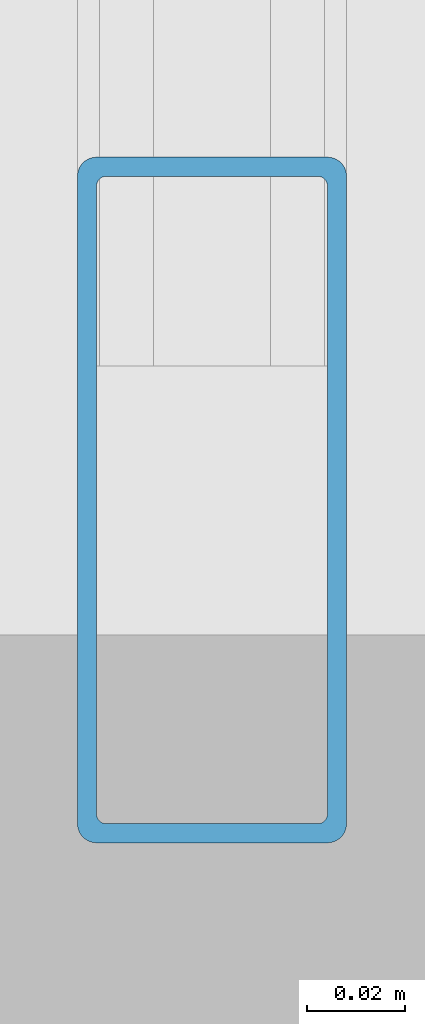
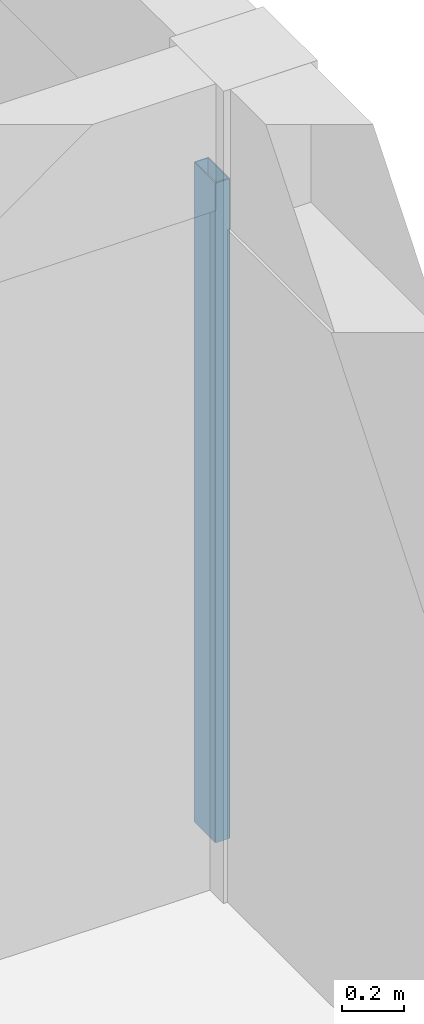
# One storey, part 8 of 53: 1 member, 1 element without a shape of its own.
"""IFC4 building model written with IfcOpenShell, lengths in metres."""

import ifcopenshell
import ifcopenshell.guid

model = None  # the IFC model being written
_history = None  # IfcOwnerHistory: only IFC2X3 demands one
_inside = {}  # id of a spatial element -> (the spatial element, [elements in it])
_under = {}  # id of a project, library or spatial element -> (it, [spatial elements below it])
_declared = {}  # id of a project -> (the project, [libraries it declares])
_typed = {}  # id of a type object -> (the type object, [elements of that type])
_made_of = {}  # id of a material, layer set ... -> (it, [elements and type objects made of it])


def new_model(schema):
    """Start an empty IFC model of exactly this schema.

    Asked for "IFC4X3", IfcOpenShell would pick the latest addendum, in which some entities
    have other attributes; the version numbers below select the first issue.
    IFC2X3 requires an IfcOwnerHistory on every rooted entity: one is made here for all.
    """
    global model, _history
    if schema == "IFC4X3":
        model = ifcopenshell.file(schema_version=(4, 3, 0, 0))
    else:
        model = ifcopenshell.file(schema=schema)
    _inside.clear()
    _under.clear()
    _declared.clear()
    _typed.clear()
    _made_of.clear()
    _history = None
    if model.schema == "IFC2X3":
        org = make("IfcOrganization", Name="unknown")
        user = make(
            "IfcPersonAndOrganization",
            ThePerson=make("IfcPerson", FamilyName="unknown"),
            TheOrganization=org,
        )
        app = make(
            "IfcApplication",
            ApplicationDeveloper=org,
            Version="unknown",
            ApplicationFullName="unknown",
            ApplicationIdentifier="unknown",
        )
        _history = make(
            "IfcOwnerHistory",
            OwningUser=user,
            OwningApplication=app,
            ChangeAction="ADDED",
            CreationDate=0,
        )
    return model


def make(cls, **values):
    """One entity of the class cls with the attributes given. An attribute that is None is left unset."""
    return model.create_entity(
        cls, **{name: value for name, value in values.items() if value is not None}
    )


def rooted(cls, **values):
    """An entity with a GlobalId (a new one), such as an element, a storey or a relation."""
    return make(cls, GlobalId=ifcopenshell.guid.new(), OwnerHistory=_history, **values)


def si_unit(unit_type, name, prefix=None):
    """IfcSIUnit, for example si_unit("LENGTHUNIT", "METRE", prefix="MILLI")."""
    return make("IfcSIUnit", UnitType=unit_type, Prefix=prefix, Name=name)


def assignment(units):
    """IfcUnitAssignment: the units of a project."""
    return None if units is None else make("IfcUnitAssignment", Units=units)


def point(xyz):
    """IfcCartesianPoint."""
    return None if xyz is None else make("IfcCartesianPoint", Coordinates=xyz)


def direction(xyz):
    """IfcDirection."""
    return None if xyz is None else make("IfcDirection", DirectionRatios=xyz)


def frame(location, z_axis=None, x_axis=None):
    """IfcAxis2Placement3D, a coordinate frame: its origin and axes. An axis left out is left unset."""
    return make(
        "IfcAxis2Placement3D",
        Location=point(location),
        Axis=direction(z_axis),
        RefDirection=direction(x_axis),
    )


def frame_2d(location, x_axis=None):
    """IfcAxis2Placement2D, a coordinate frame in the plane: its origin and x axis."""
    return make(
        "IfcAxis2Placement2D", Location=point(location), RefDirection=direction(x_axis)
    )


def origin():
    """The frame at (0, 0, 0) with its axes left unset."""
    return frame((0.0, 0.0, 0.0))


def origin_2d():
    """The frame at (0, 0) in the plane with its x axis left unset."""
    return frame_2d((0.0, 0.0))


def place(relative_to, where):
    """IfcLocalPlacement: puts the frame where relative to a parent placement (None: the world)."""
    return make(
        "IfcLocalPlacement", PlacementRelTo=relative_to, RelativePlacement=where
    )


def context(
    kind, dimensions, precision=None, world=None, true_north=None, identifier=None
):
    """IfcGeometricRepresentationContext, for example the 3D "Model" context."""
    return make(
        "IfcGeometricRepresentationContext",
        ContextIdentifier=identifier,
        ContextType=kind,
        CoordinateSpaceDimension=dimensions,
        Precision=precision,
        WorldCoordinateSystem=world,
        TrueNorth=true_north,
    )


def subcontext(parent, identifier, kind, view, scale=None):
    """IfcGeometricRepresentationSubContext, for example "Body" below "Model"."""
    return make(
        "IfcGeometricRepresentationSubContext",
        ContextIdentifier=identifier,
        ContextType=kind,
        ParentContext=parent,
        TargetScale=scale,
        TargetView=view,
    )


def project(units=None, contexts=None):
    """IfcProject with its units and contexts."""
    return rooted(
        "IfcProject",
        Name="project",
        RepresentationContexts=contexts,
        UnitsInContext=assignment(units),
    )


def spatial(cls, under=None, at=None, **own):
    """A site, building, storey or space (cls), placed at a placement, below another one or the project."""
    s = rooted(cls, ObjectPlacement=at, **own)
    if under is not None:
        _under.setdefault(under.id(), (under, []))[1].append(s)
    return s


def profile(cls, at=None, kind="AREA", **sizes):
    """A parametric profile (cls). Its sizes go by their IFC names, for example OverallWidth=200.0."""
    return make(cls, ProfileType=kind, Position=at, **sizes)


def hollow_rectangle(**sizes):
    """IfcRectangleHollowProfileDef."""
    return profile("IfcRectangleHollowProfileDef", **sizes)


def extrude(swept, where, along, depth):
    """IfcExtrudedAreaSolid: the profile swept, set in the frame where, extruded along a direction by depth."""
    return make(
        "IfcExtrudedAreaSolid",
        SweptArea=swept,
        Position=where,
        ExtrudedDirection=direction(along),
        Depth=depth,
    )


def shape(context_of_items, identifier, shape_type, items):
    """IfcShapeRepresentation: the items that make up one representation, for example the "Body"."""
    return make(
        "IfcShapeRepresentation",
        ContextOfItems=context_of_items,
        RepresentationIdentifier=identifier,
        RepresentationType=shape_type,
        Items=items,
    )


def material(Name=None, Category=None):
    """IfcMaterial."""
    return make("IfcMaterial", Name=Name, Category=Category)


def material_profile(
    of_material, cross_section, Name=None, Category=None, Priority=None
):
    """IfcMaterialProfile: a cross section and its material."""
    return make(
        "IfcMaterialProfile",
        Name=Name,
        Material=of_material,
        Profile=cross_section,
        Priority=Priority,
        Category=Category,
    )


def profile_set(profiles, Name=None, composite=None):
    """IfcMaterialProfileSet."""
    return make(
        "IfcMaterialProfileSet",
        Name=Name,
        MaterialProfiles=profiles,
        CompositeProfile=composite,
    )


def made_of(thing, what):
    """Note that an element or type object is made of a material, layer set ...; save() writes the relation."""
    if what is not None:
        _made_of.setdefault(what.id(), (what, []))[1].append(thing)
    return thing


def type_object(cls, material=None, **own):
    """A type object (cls), such as IfcWallType, which elements share."""
    return made_of(rooted(cls, **own), material)


def element(
    cls,
    number,
    at=None,
    inside=None,
    cuts=None,
    type_object=None,
    material=None,
    context=None,
    identifier="Body",
    shape_type=None,
    held_by="IfcProductDefinitionShape",
    body=None,
    shapes=None,
    **own,
):
    """One element of the class cls, such as IfcWall. Its Tag is "e" and its number.

    at: its placement. inside: the storey or other place that contains it. cuts: it is an
    opening in that element (IfcRelVoidsElement). A single representation is given by context,
    identifier, shape_type and body (its items); several are given by shapes. held_by: the class
    of the entity that holds the representations. save() writes the other relations.
    """
    e = rooted(cls, Tag="e%d" % number, ObjectPlacement=at, **own)
    if body is not None:
        shapes = [shape(context, identifier, shape_type, body)]
    if shapes is not None:
        e.Representation = make(held_by, Representations=shapes)
    if inside is not None:
        _inside.setdefault(inside.id(), (inside, []))[1].append(e)
    if cuts is not None:
        rooted(
            "IfcRelVoidsElement", RelatingBuildingElement=cuts, RelatedOpeningElement=e
        )
    if type_object is not None:
        _typed.setdefault(type_object.id(), (type_object, []))[1].append(e)
    return made_of(e, material)


def aggregate(whole, parts):
    """IfcRelAggregates: a whole, such as a stair, and the parts it consists of."""
    return rooted("IfcRelAggregates", RelatingObject=whole, RelatedObjects=parts)


def save(model, path):
    """Write the relations noted so far, then the file.

    IfcRelAggregates (storeys below a building ...), IfcRelContainedInSpatialStructure (elements
    in a storey), IfcRelDefinesByType, IfcRelAssociatesMaterial and IfcRelDeclares: one each for
    every whole, place, type object, material and project.
    """
    for whole, parts in _under.values():
        aggregate(whole, parts)
    for where, things in _inside.values():
        rooted(
            "IfcRelContainedInSpatialStructure",
            RelatedElements=things,
            RelatingStructure=where,
        )
    for kind, things in _typed.values():
        rooted("IfcRelDefinesByType", RelatedObjects=things, RelatingType=kind)
    for what, things in _made_of.values():
        rooted("IfcRelAssociatesMaterial", RelatedObjects=things, RelatingMaterial=what)
    for by, libraries in _declared.values():
        rooted("IfcRelDeclares", RelatingContext=by, RelatedDefinitions=libraries)
    model.write(path)


model = new_model("IFC4")

# Units and contexts
model_context = context("Model", 3, precision=1e-05, world=origin(), true_north=direction((0.0, 1.0)))
body_context = subcontext(model_context, "Body", "Model", "MODEL_VIEW")
ifc_project = project(units=[si_unit("LENGTHUNIT", "METRE"), si_unit("AREAUNIT", "SQUARE_METRE"), si_unit("VOLUMEUNIT", "CUBIC_METRE"), si_unit("PLANEANGLEUNIT", "RADIAN"), si_unit("MASSUNIT", "GRAM", prefix="KILO")], contexts=[model_context])

# Site, building, storey
site_placement = place(None, origin())
site = spatial("IfcSite", under=ifc_project, at=site_placement, CompositionType="ELEMENT")
building_placement = place(site_placement, origin())
building = spatial("IfcBuilding", under=site, at=building_placement, Name="Kernevlak Ridge Housing Community", CompositionType="ELEMENT")
storey_placement = place(building_placement, frame((0.0, 0.0, 24.39990234375)))
storey = spatial("IfcBuildingStorey", under=building, at=storey_placement, Name="L07", CompositionType="ELEMENT", Elevation=24.39990234375)

# Curtain wall, member
ifc_material_1 = material(Name="Aluminium EN AW-6060 anodised and laminated glass", Category="aluminium")
curtain_wall_type = type_object("IfcCurtainWallType", Name="CW-01", PredefinedType="NOTDEFINED", material=ifc_material_1)
curtain_wall_placement = place(storey_placement, origin())
curtain_wall = element("IfcCurtainWall", 1, at=curtain_wall_placement, inside=storey, type_object=curtain_wall_type, Name="Curtain wall CW-01 CW-L07-162", PredefinedType="NOTDEFINED")
ifc_material_2 = material(Name="Aluminium EN AW-6060 anodised", Category="aluminium")
ifc_material_profile = material_profile(ifc_material_2, hollow_rectangle(XDim=0.054931640625, YDim=0.139892578125, WallThickness=0.00390625, InnerFilletRadius=0.001953125, OuterFilletRadius=0.00390625, at=origin_2d()), Name="ALU 55x140x4")
ifc_profile_set = profile_set([ifc_material_profile], Name="Aluminium EN AW-6060 anodised")
member_type = type_object("IfcMemberType", Name="MU-01", PredefinedType="MULLION", material=ifc_profile_set)
member_placement = place(storey_placement, frame((42.0, 22.402587890625, 0.0), z_axis=(0.0, 0.0, 1.0), x_axis=(-1.0, 0.0, 0.0)))
member = element("IfcMember", 2, at=member_placement, type_object=member_type, Name="CW-01 mullion 1", PredefinedType="MULLION", context=body_context, shape_type="SweptSolid", body=[
    extrude(hollow_rectangle(XDim=0.054931640625, YDim=0.139892578125, WallThickness=0.00390625, InnerFilletRadius=0.001953125, OuterFilletRadius=0.00390625, at=origin_2d()), origin(), (0.0, 0.0, 1.0), 2.60009765625),
])
aggregate(curtain_wall, [member])

save(model, "model.ifc")
